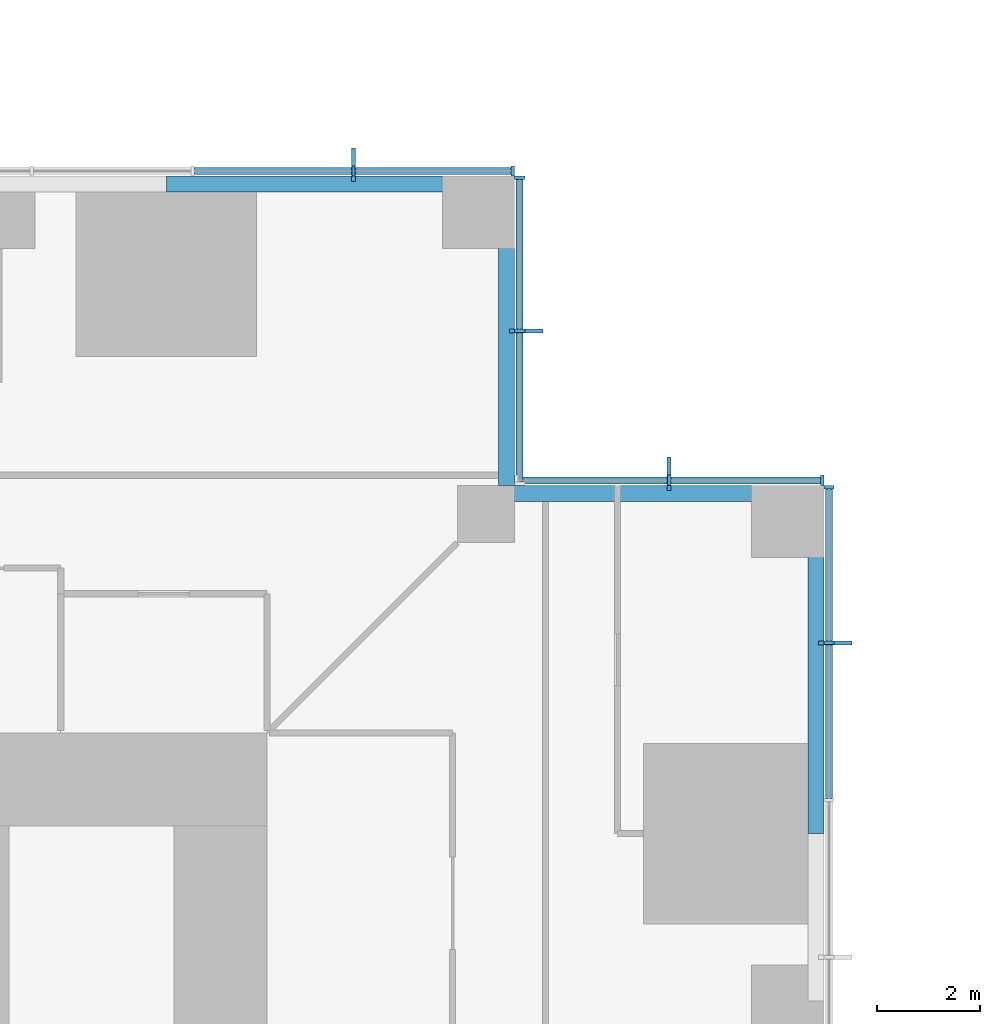
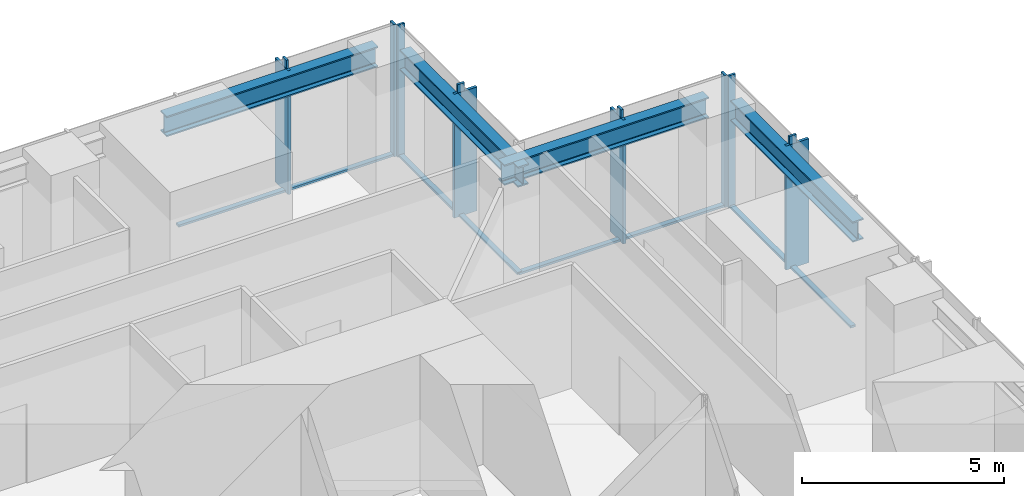
# One storey, part 6 of 15: 20 members, 4 beams, 4 elements without a shape of their own.
"""IFC4 building model written with IfcOpenShell, lengths in metres."""

import ifcopenshell
import ifcopenshell.guid

model = None  # the IFC model being written
_history = None  # IfcOwnerHistory: only IFC2X3 demands one
_inside = {}  # id of a spatial element -> (the spatial element, [elements in it])
_under = {}  # id of a project, library or spatial element -> (it, [spatial elements below it])
_declared = {}  # id of a project -> (the project, [libraries it declares])
_typed = {}  # id of a type object -> (the type object, [elements of that type])
_made_of = {}  # id of a material, layer set ... -> (it, [elements and type objects made of it])


def new_model(schema):
    """Start an empty IFC model of exactly this schema.

    Asked for "IFC4X3", IfcOpenShell would pick the latest addendum, in which some entities
    have other attributes; the version numbers below select the first issue.
    IFC2X3 requires an IfcOwnerHistory on every rooted entity: one is made here for all.
    """
    global model, _history
    if schema == "IFC4X3":
        model = ifcopenshell.file(schema_version=(4, 3, 0, 0))
    else:
        model = ifcopenshell.file(schema=schema)
    _inside.clear()
    _under.clear()
    _declared.clear()
    _typed.clear()
    _made_of.clear()
    _history = None
    if model.schema == "IFC2X3":
        org = make("IfcOrganization", Name="unknown")
        user = make(
            "IfcPersonAndOrganization",
            ThePerson=make("IfcPerson", FamilyName="unknown"),
            TheOrganization=org,
        )
        app = make(
            "IfcApplication",
            ApplicationDeveloper=org,
            Version="unknown",
            ApplicationFullName="unknown",
            ApplicationIdentifier="unknown",
        )
        _history = make(
            "IfcOwnerHistory",
            OwningUser=user,
            OwningApplication=app,
            ChangeAction="ADDED",
            CreationDate=0,
        )
    return model


def make(cls, **values):
    """One entity of the class cls with the attributes given. An attribute that is None is left unset."""
    return model.create_entity(
        cls, **{name: value for name, value in values.items() if value is not None}
    )


def rooted(cls, **values):
    """An entity with a GlobalId (a new one), such as an element, a storey or a relation."""
    return make(cls, GlobalId=ifcopenshell.guid.new(), OwnerHistory=_history, **values)


def si_unit(unit_type, name, prefix=None):
    """IfcSIUnit, for example si_unit("LENGTHUNIT", "METRE", prefix="MILLI")."""
    return make("IfcSIUnit", UnitType=unit_type, Prefix=prefix, Name=name)


def assignment(units):
    """IfcUnitAssignment: the units of a project."""
    return None if units is None else make("IfcUnitAssignment", Units=units)


def point(xyz):
    """IfcCartesianPoint."""
    return None if xyz is None else make("IfcCartesianPoint", Coordinates=xyz)


def direction(xyz):
    """IfcDirection."""
    return None if xyz is None else make("IfcDirection", DirectionRatios=xyz)


def frame(location, z_axis=None, x_axis=None):
    """IfcAxis2Placement3D, a coordinate frame: its origin and axes. An axis left out is left unset."""
    return make(
        "IfcAxis2Placement3D",
        Location=point(location),
        Axis=direction(z_axis),
        RefDirection=direction(x_axis),
    )


def frame_2d(location, x_axis=None):
    """IfcAxis2Placement2D, a coordinate frame in the plane: its origin and x axis."""
    return make(
        "IfcAxis2Placement2D", Location=point(location), RefDirection=direction(x_axis)
    )


def origin():
    """The frame at (0, 0, 0) with its axes left unset."""
    return frame((0.0, 0.0, 0.0))


def origin_2d():
    """The frame at (0, 0) in the plane with its x axis left unset."""
    return frame_2d((0.0, 0.0))


def place(relative_to, where):
    """IfcLocalPlacement: puts the frame where relative to a parent placement (None: the world)."""
    return make(
        "IfcLocalPlacement", PlacementRelTo=relative_to, RelativePlacement=where
    )


def context(
    kind, dimensions, precision=None, world=None, true_north=None, identifier=None
):
    """IfcGeometricRepresentationContext, for example the 3D "Model" context."""
    return make(
        "IfcGeometricRepresentationContext",
        ContextIdentifier=identifier,
        ContextType=kind,
        CoordinateSpaceDimension=dimensions,
        Precision=precision,
        WorldCoordinateSystem=world,
        TrueNorth=true_north,
    )


def subcontext(parent, identifier, kind, view, scale=None):
    """IfcGeometricRepresentationSubContext, for example "Body" below "Model"."""
    return make(
        "IfcGeometricRepresentationSubContext",
        ContextIdentifier=identifier,
        ContextType=kind,
        ParentContext=parent,
        TargetScale=scale,
        TargetView=view,
    )


def project(units=None, contexts=None):
    """IfcProject with its units and contexts."""
    return rooted(
        "IfcProject",
        Name="project",
        RepresentationContexts=contexts,
        UnitsInContext=assignment(units),
    )


def spatial(cls, under=None, at=None, **own):
    """A site, building, storey or space (cls), placed at a placement, below another one or the project."""
    s = rooted(cls, ObjectPlacement=at, **own)
    if under is not None:
        _under.setdefault(under.id(), (under, []))[1].append(s)
    return s


def profile(cls, at=None, kind="AREA", **sizes):
    """A parametric profile (cls). Its sizes go by their IFC names, for example OverallWidth=200.0."""
    return make(cls, ProfileType=kind, Position=at, **sizes)


def rectangle(**sizes):
    """IfcRectangleProfileDef."""
    return profile("IfcRectangleProfileDef", **sizes)


def i_section(**sizes):
    """IfcIShapeProfileDef."""
    return profile("IfcIShapeProfileDef", **sizes)


def extrude(swept, where, along, depth):
    """IfcExtrudedAreaSolid: the profile swept, set in the frame where, extruded along a direction by depth."""
    return make(
        "IfcExtrudedAreaSolid",
        SweptArea=swept,
        Position=where,
        ExtrudedDirection=direction(along),
        Depth=depth,
    )


def shape(context_of_items, identifier, shape_type, items):
    """IfcShapeRepresentation: the items that make up one representation, for example the "Body"."""
    return make(
        "IfcShapeRepresentation",
        ContextOfItems=context_of_items,
        RepresentationIdentifier=identifier,
        RepresentationType=shape_type,
        Items=items,
    )


def material(Name=None, Category=None):
    """IfcMaterial."""
    return make("IfcMaterial", Name=Name, Category=Category)


def material_profile(
    of_material, cross_section, Name=None, Category=None, Priority=None
):
    """IfcMaterialProfile: a cross section and its material."""
    return make(
        "IfcMaterialProfile",
        Name=Name,
        Material=of_material,
        Profile=cross_section,
        Priority=Priority,
        Category=Category,
    )


def profile_set(profiles, Name=None, composite=None):
    """IfcMaterialProfileSet."""
    return make(
        "IfcMaterialProfileSet",
        Name=Name,
        MaterialProfiles=profiles,
        CompositeProfile=composite,
    )


def made_of(thing, what):
    """Note that an element or type object is made of a material, layer set ...; save() writes the relation."""
    if what is not None:
        _made_of.setdefault(what.id(), (what, []))[1].append(thing)
    return thing


def type_object(cls, material=None, **own):
    """A type object (cls), such as IfcWallType, which elements share."""
    return made_of(rooted(cls, **own), material)


def element(
    cls,
    number,
    at=None,
    inside=None,
    cuts=None,
    type_object=None,
    material=None,
    context=None,
    identifier="Body",
    shape_type=None,
    held_by="IfcProductDefinitionShape",
    body=None,
    shapes=None,
    **own,
):
    """One element of the class cls, such as IfcWall. Its Tag is "e" and its number.

    at: its placement. inside: the storey or other place that contains it. cuts: it is an
    opening in that element (IfcRelVoidsElement). A single representation is given by context,
    identifier, shape_type and body (its items); several are given by shapes. held_by: the class
    of the entity that holds the representations. save() writes the other relations.
    """
    e = rooted(cls, Tag="e%d" % number, ObjectPlacement=at, **own)
    if body is not None:
        shapes = [shape(context, identifier, shape_type, body)]
    if shapes is not None:
        e.Representation = make(held_by, Representations=shapes)
    if inside is not None:
        _inside.setdefault(inside.id(), (inside, []))[1].append(e)
    if cuts is not None:
        rooted(
            "IfcRelVoidsElement", RelatingBuildingElement=cuts, RelatedOpeningElement=e
        )
    if type_object is not None:
        _typed.setdefault(type_object.id(), (type_object, []))[1].append(e)
    return made_of(e, material)


def aggregate(whole, parts):
    """IfcRelAggregates: a whole, such as a stair, and the parts it consists of."""
    return rooted("IfcRelAggregates", RelatingObject=whole, RelatedObjects=parts)


def save(model, path):
    """Write the relations noted so far, then the file.

    IfcRelAggregates (storeys below a building ...), IfcRelContainedInSpatialStructure (elements
    in a storey), IfcRelDefinesByType, IfcRelAssociatesMaterial and IfcRelDeclares: one each for
    every whole, place, type object, material and project.
    """
    for whole, parts in _under.values():
        aggregate(whole, parts)
    for where, things in _inside.values():
        rooted(
            "IfcRelContainedInSpatialStructure",
            RelatedElements=things,
            RelatingStructure=where,
        )
    for kind, things in _typed.values():
        rooted("IfcRelDefinesByType", RelatedObjects=things, RelatingType=kind)
    for what, things in _made_of.values():
        rooted("IfcRelAssociatesMaterial", RelatedObjects=things, RelatingMaterial=what)
    for by, libraries in _declared.values():
        rooted("IfcRelDeclares", RelatingContext=by, RelatedDefinitions=libraries)
    model.write(path)


model = new_model("IFC4")

# Units and contexts
model_context = context("Model", 3, precision=1e-05, world=origin(), true_north=direction((0.0, 1.0)))
body_context = subcontext(model_context, "Body", "Model", "MODEL_VIEW")
ifc_project = project(units=[si_unit("LENGTHUNIT", "METRE"), si_unit("AREAUNIT", "SQUARE_METRE"), si_unit("VOLUMEUNIT", "CUBIC_METRE"), si_unit("PLANEANGLEUNIT", "RADIAN"), si_unit("MASSUNIT", "GRAM", prefix="KILO")], contexts=[model_context])

# Site, building, storey
site_placement = place(None, origin())
site = spatial("IfcSite", under=ifc_project, at=site_placement, CompositionType="ELEMENT")
building_placement = place(site_placement, origin())
building = spatial("IfcBuilding", under=site, at=building_placement, Name="Svetlomir Tower", CompositionType="ELEMENT")
storey_placement = place(building_placement, frame((0.0, 0.0, 66.5)))
storey = spatial("IfcBuildingStorey", under=building, at=storey_placement, Name="L15", CompositionType="ELEMENT", Elevation=66.5)

# Curtain wall, member
ifc_material_1 = material(Name="Bronze anodised aluminium curtain wall", Category="aluminium")
curtain_wall_type = type_object("IfcCurtainWallType", Name="CURTAIN WALL CW1 TOWER OFFICE", PredefinedType="NOTDEFINED", material=ifc_material_1)
curtain_wall_1_placement = place(storey_placement, origin())
curtain_wall_1 = element("IfcCurtainWall", 1, at=curtain_wall_1_placement, inside=storey, type_object=curtain_wall_type, Name="Curtain wall CW1 L15", PredefinedType="NOTDEFINED")
ifc_material_2 = material(Name="Bronze anodised aluminium", Category="aluminium")
ifc_material_profile_1 = material_profile(ifc_material_2, rectangle(XDim=0.080078125, YDim=0.64990234375, at=origin_2d()), Name="FIN 80x650")
ifc_profile_set_1 = profile_set([ifc_material_profile_1], Name="Bronze anodised aluminium 6063-T6")
member_type_1 = type_object("IfcMemberType", Name="BRONZE FIN 80x650", PredefinedType="USERDEFINED", material=ifc_profile_set_1)
member_1_placement = place(storey_placement, frame((42.22509765625, 32.949951171875, 0.0), z_axis=(0.0, 0.0, 1.0), x_axis=(0.0, 1.0, 0.0)))
member_1 = element("IfcMember", 2, at=member_1_placement, type_object=member_type_1, Name="Bronze fin L15", ObjectType="FIN", PredefinedType="USERDEFINED", context=body_context, shape_type="SweptSolid", body=[
    extrude(rectangle(XDim=0.080078125, YDim=0.64990234375, at=origin_2d()), origin(), (0.0, 0.0, 1.0), 3.75),
])

curtain_wall_2_placement = place(storey_placement, origin())
curtain_wall_2 = element("IfcCurtainWall", 3, at=curtain_wall_2_placement, inside=storey, type_object=curtain_wall_type, Name="Curtain wall CW1 L15", PredefinedType="NOTDEFINED")
member_2_placement = place(storey_placement, frame((39.0, 36.22509765625, 0.0), z_axis=(0.0, 0.0, 1.0), x_axis=(1.0, 0.0, 0.0)))
member_2 = element("IfcMember", 4, at=member_2_placement, type_object=member_type_1, Name="Bronze fin L15", ObjectType="FIN", PredefinedType="USERDEFINED", context=body_context, shape_type="SweptSolid", body=[
    extrude(rectangle(XDim=0.080078125, YDim=0.64990234375, at=origin_2d()), origin(), (0.0, 0.0, 1.0), 3.75),
])

curtain_wall_3_placement = place(storey_placement, origin())
curtain_wall_3 = element("IfcCurtainWall", 5, at=curtain_wall_3_placement, inside=storey, type_object=curtain_wall_type, Name="Curtain wall CW1 L15", PredefinedType="NOTDEFINED")
member_3_placement = place(storey_placement, frame((36.22509765625, 39.0, 0.0), z_axis=(0.0, 0.0, 1.0), x_axis=(0.0, 1.0, 0.0)))
member_3 = element("IfcMember", 6, at=member_3_placement, type_object=member_type_1, Name="Bronze fin L15", ObjectType="FIN", PredefinedType="USERDEFINED", context=body_context, shape_type="SweptSolid", body=[
    extrude(rectangle(XDim=0.080078125, YDim=0.64990234375, at=origin_2d()), origin(), (0.0, 0.0, 1.0), 3.75),
])

curtain_wall_4_placement = place(storey_placement, origin())
curtain_wall_4 = element("IfcCurtainWall", 7, at=curtain_wall_4_placement, inside=storey, type_object=curtain_wall_type, Name="Curtain wall CW1 L15", PredefinedType="NOTDEFINED")
member_4_placement = place(storey_placement, frame((32.8798828125, 42.22509765625, 0.0), z_axis=(0.0, 0.0, 1.0), x_axis=(1.0, 0.0, 0.0)))
member_4 = element("IfcMember", 8, at=member_4_placement, type_object=member_type_1, Name="Bronze fin L15", ObjectType="FIN", PredefinedType="USERDEFINED", context=body_context, shape_type="SweptSolid", body=[
    extrude(rectangle(XDim=0.080078125, YDim=0.64990234375, at=origin_2d()), origin(), (0.0, 0.0, 1.0), 3.75),
])

# Member
ifc_material_3 = material(Name="Bronze anodised aluminium", Category="aluminium")
ifc_material_profile_2 = material_profile(ifc_material_3, rectangle(XDim=0.06494140625, YDim=0.199951171875, at=origin_2d()), Name="AL 65x200")
ifc_profile_set_2 = profile_set([ifc_material_profile_2], Name="Bronze anodised aluminium 6063-T6")
member_type_2 = type_object("IfcMemberType", Name="CW1 MULLION 65x200", PredefinedType="MULLION", material=ifc_profile_set_2)
member_5_placement = place(storey_placement, frame((42.10009765625, 32.949951171875, 0.0), z_axis=(0.0, 0.0, 1.0), x_axis=(0.0, 1.0, 0.0)))
member_5 = element("IfcMember", 9, at=member_5_placement, type_object=member_type_2, Name="CW1 mullion 8", PredefinedType="MULLION", context=body_context, shape_type="SweptSolid", body=[
    extrude(rectangle(XDim=0.06494140625, YDim=0.199951171875, at=origin_2d()), origin(), (0.0, 0.0, 1.0), 4.0),
])

member_6_placement = place(storey_placement, frame((42.10009765625, 35.967529296875, 0.0), z_axis=(0.0, 0.0, 1.0), x_axis=(0.0, 1.0, 0.0)))
member_6 = element("IfcMember", 10, at=member_6_placement, type_object=member_type_2, Name="CW1 mullion 9", PredefinedType="MULLION", context=body_context, shape_type="SweptSolid", body=[
    extrude(rectangle(XDim=0.06494140625, YDim=0.199951171875, at=origin_2d()), origin(), (0.0, 0.0, 1.0), 4.0),
])

member_7_placement = place(storey_placement, frame((41.967529296875, 36.10009765625, 0.0), z_axis=(0.0, 0.0, 1.0), x_axis=(-1.0, 0.0, 0.0)))
member_7 = element("IfcMember", 11, at=member_7_placement, type_object=member_type_2, Name="CW1 mullion 1", PredefinedType="MULLION", context=body_context, shape_type="SweptSolid", body=[
    extrude(rectangle(XDim=0.06494140625, YDim=0.199951171875, at=origin_2d()), origin(), (0.0, 0.0, 1.0), 4.0),
])

member_8_placement = place(storey_placement, frame((39.0, 36.10009765625, 0.0), z_axis=(0.0, 0.0, 1.0), x_axis=(-1.0, 0.0, 0.0)))
member_8 = element("IfcMember", 12, at=member_8_placement, type_object=member_type_2, Name="CW1 mullion 2", PredefinedType="MULLION", context=body_context, shape_type="SweptSolid", body=[
    extrude(rectangle(XDim=0.06494140625, YDim=0.199951171875, at=origin_2d()), origin(), (0.0, 0.0, 1.0), 4.0),
])

member_9_placement = place(storey_placement, frame((36.10009765625, 39.0, 0.0), z_axis=(0.0, 0.0, 1.0), x_axis=(0.0, 1.0, 0.0)))
member_9 = element("IfcMember", 13, at=member_9_placement, type_object=member_type_2, Name="CW1 mullion 2", PredefinedType="MULLION", context=body_context, shape_type="SweptSolid", body=[
    extrude(rectangle(XDim=0.06494140625, YDim=0.199951171875, at=origin_2d()), origin(), (0.0, 0.0, 1.0), 4.0),
])

member_10_placement = place(storey_placement, frame((36.10009765625, 41.967529296875, 0.0), z_axis=(0.0, 0.0, 1.0), x_axis=(0.0, 1.0, 0.0)))
member_10 = element("IfcMember", 14, at=member_10_placement, type_object=member_type_2, Name="CW1 mullion 3", PredefinedType="MULLION", context=body_context, shape_type="SweptSolid", body=[
    extrude(rectangle(XDim=0.06494140625, YDim=0.199951171875, at=origin_2d()), origin(), (0.0, 0.0, 1.0), 4.0),
])

member_11_placement = place(storey_placement, frame((35.967529296875, 42.10009765625, 0.0), z_axis=(0.0, 0.0, 1.0), x_axis=(-1.0, 0.0, 0.0)))
member_11 = element("IfcMember", 15, at=member_11_placement, type_object=member_type_2, Name="CW1 mullion 1", PredefinedType="MULLION", context=body_context, shape_type="SweptSolid", body=[
    extrude(rectangle(XDim=0.06494140625, YDim=0.199951171875, at=origin_2d()), origin(), (0.0, 0.0, 1.0), 4.0),
])

member_12_placement = place(storey_placement, frame((32.8798828125, 42.10009765625, 0.0), z_axis=(0.0, 0.0, 1.0), x_axis=(-1.0, 0.0, 0.0)))
member_12 = element("IfcMember", 16, at=member_12_placement, type_object=member_type_2, Name="CW1 mullion 2", PredefinedType="MULLION", context=body_context, shape_type="SweptSolid", body=[
    extrude(rectangle(XDim=0.06494140625, YDim=0.199951171875, at=origin_2d()), origin(), (0.0, 0.0, 1.0), 4.0),
])

ifc_material_4 = material(Name="Bronze anodised aluminium", Category="aluminium")
ifc_material_profile_3 = material_profile(ifc_material_4, rectangle(XDim=0.139892578125, YDim=0.06494140625, at=origin_2d()), Name="AL 140x65")
ifc_profile_set_3 = profile_set([ifc_material_profile_3], Name="Bronze anodised aluminium 6063-T6")
member_type_3 = type_object("IfcMemberType", Name="CW1 TRANSOM 65x140", PredefinedType="USERDEFINED", material=ifc_profile_set_3)
member_13_placement = place(storey_placement, frame((42.10009765625, 29.9326171875, 0.032470703125), z_axis=(0.0, 1.0, 0.0), x_axis=(-1.0, 0.0, 0.0)))
member_13 = element("IfcMember", 17, at=member_13_placement, type_object=member_type_3, Name="CW1 transom 7.1", ObjectType="TRANSOM", PredefinedType="USERDEFINED", context=body_context, shape_type="SweptSolid", body=[
    extrude(rectangle(XDim=0.139892578125, YDim=0.06494140625, at=origin_2d()), origin(), (0.0, 0.0, 1.0), 2.98486328125),
])

member_14_placement = place(storey_placement, frame((42.10009765625, 32.982421875, 0.032470703125), z_axis=(0.0, 1.0, 0.0), x_axis=(-1.0, 0.0, 0.0)))
member_14 = element("IfcMember", 18, at=member_14_placement, type_object=member_type_3, Name="CW1 transom 8.1", ObjectType="TRANSOM", PredefinedType="USERDEFINED", context=body_context, shape_type="SweptSolid", body=[
    extrude(rectangle(XDim=0.139892578125, YDim=0.06494140625, at=origin_2d()), origin(), (0.0, 0.0, 1.0), 2.95263671875),
])

aggregate(curtain_wall_1, [member_5, member_6, member_13, member_14, member_1])

member_15_placement = place(storey_placement, frame((41.93505859375, 36.10009765625, 0.032470703125), z_axis=(-1.0, 0.0, 0.0), x_axis=(0.0, -1.0, 0.0)))
member_15 = element("IfcMember", 19, at=member_15_placement, type_object=member_type_3, Name="CW1 transom 1.1", ObjectType="TRANSOM", PredefinedType="USERDEFINED", context=body_context, shape_type="SweptSolid", body=[
    extrude(rectangle(XDim=0.139892578125, YDim=0.06494140625, at=origin_2d()), origin(), (0.0, 0.0, 1.0), 2.902587890625),
])

member_16_placement = place(storey_placement, frame((38.967529296875, 36.10009765625, 0.032470703125), z_axis=(-1.0, 0.0, 0.0), x_axis=(0.0, -1.0, 0.0)))
member_16 = element("IfcMember", 20, at=member_16_placement, type_object=member_type_3, Name="CW1 transom 2.1", ObjectType="TRANSOM", PredefinedType="USERDEFINED", context=body_context, shape_type="SweptSolid", body=[
    extrude(rectangle(XDim=0.139892578125, YDim=0.06494140625, at=origin_2d()), origin(), (0.0, 0.0, 1.0), 2.902587890625),
])

aggregate(curtain_wall_2, [member_7, member_8, member_15, member_16, member_2])

member_17_placement = place(storey_placement, frame((36.10009765625, 36.06494140625, 0.032470703125), z_axis=(0.0, 1.0, 0.0), x_axis=(-1.0, 0.0, 0.0)))
member_17 = element("IfcMember", 21, at=member_17_placement, type_object=member_type_3, Name="CW1 transom 1.1", ObjectType="TRANSOM", PredefinedType="USERDEFINED", context=body_context, shape_type="SweptSolid", body=[
    extrude(rectangle(XDim=0.139892578125, YDim=0.06494140625, at=origin_2d()), origin(), (0.0, 0.0, 1.0), 2.902587890625),
])

member_18_placement = place(storey_placement, frame((36.10009765625, 39.032470703125, 0.032470703125), z_axis=(0.0, 1.0, 0.0), x_axis=(-1.0, 0.0, 0.0)))
member_18 = element("IfcMember", 22, at=member_18_placement, type_object=member_type_3, Name="CW1 transom 2.1", ObjectType="TRANSOM", PredefinedType="USERDEFINED", context=body_context, shape_type="SweptSolid", body=[
    extrude(rectangle(XDim=0.139892578125, YDim=0.06494140625, at=origin_2d()), origin(), (0.0, 0.0, 1.0), 2.902587890625),
])

aggregate(curtain_wall_3, [member_9, member_10, member_17, member_18, member_3])

member_19_placement = place(storey_placement, frame((35.93505859375, 42.10009765625, 0.032470703125), z_axis=(-1.0, 0.0, 0.0), x_axis=(0.0, -1.0, 0.0)))
member_19 = element("IfcMember", 23, at=member_19_placement, type_object=member_type_3, Name="CW1 transom 1.1", ObjectType="TRANSOM", PredefinedType="USERDEFINED", context=body_context, shape_type="SweptSolid", body=[
    extrude(rectangle(XDim=0.139892578125, YDim=0.06494140625, at=origin_2d()), origin(), (0.0, 0.0, 1.0), 3.0224609375),
])

member_20_placement = place(storey_placement, frame((32.847412109375, 42.10009765625, 0.032470703125), z_axis=(-1.0, 0.0, 0.0), x_axis=(0.0, -1.0, 0.0)))
member_20 = element("IfcMember", 24, at=member_20_placement, type_object=member_type_3, Name="CW1 transom 2.1", ObjectType="TRANSOM", PredefinedType="USERDEFINED", context=body_context, shape_type="SweptSolid", body=[
    extrude(rectangle(XDim=0.139892578125, YDim=0.06494140625, at=origin_2d()), origin(), (0.0, 0.0, 1.0), 3.054931640625),
])

aggregate(curtain_wall_4, [member_11, member_12, member_19, member_20, member_4])

# Beams
ifc_material_5 = material(Name="Steel S355", Category="steel")
ifc_material_profile_4 = material_profile(ifc_material_5, i_section(OverallWidth=0.304931640625, OverallDepth=0.6201171875, WebThickness=0.02099609375, FlangeThickness=0.0400390625, FilletRadius=0.027099609375, at=origin_2d()), Name="HEM 600")
ifc_profile_set_4 = profile_set([ifc_material_profile_4], Name="Steel S355")
beam_type = type_object("IfcBeamType", Name="EDGE BEAM HEM 600", PredefinedType="SPANDREL", material=ifc_profile_set_4)
for number, where, z_axis, x_axis, name in (
    (25, (41.847412109375, 29.25, 3.43994140625), (0.0, 1.0, 0.0), (-1.0, 0.0, 0.0), "Edge beam 42/31 to 42/36 under L16"),
    (26, (29.25, 41.847412109375, 3.43994140625), (1.0, 0.0, 0.0), (0.0, 1.0, 0.0), "Edge beam 31/42 to 36/42 under L16"),
):
    element("IfcBeam", number, at=place(storey_placement, frame(where, z_axis=z_axis, x_axis=x_axis)), inside=storey, type_object=beam_type, Name=name, PredefinedType="SPANDREL", context=body_context, shape_type="SweptSolid", body=[
        extrude(i_section(OverallWidth=0.304931640625, OverallDepth=0.6201171875, WebThickness=0.02099609375, FlangeThickness=0.0400390625, FilletRadius=0.027099609375, at=origin_2d()), origin(), (0.0, 0.0, 1.0), 6.050048828125),
    ])
for number, where, z_axis, x_axis, name in (
    (27, (35.847412109375, 41.300048828125, 3.43994140625), (0.0, -1.0, 0.0), (1.0, 0.0, 0.0), "Edge beam 36/42 to 36/36 under L16"),
    (28, (41.300048828125, 35.847412109375, 3.43994140625), (-1.0, 0.0, 0.0), (0.0, -1.0, 0.0), "Edge beam 42/36 to 36/36 under L16"),
):
    element("IfcBeam", number, at=place(storey_placement, frame(where, z_axis=z_axis, x_axis=x_axis)), inside=storey, type_object=beam_type, Name=name, PredefinedType="SPANDREL", context=body_context, shape_type="SweptSolid", body=[
        extrude(i_section(OverallWidth=0.304931640625, OverallDepth=0.6201171875, WebThickness=0.02099609375, FlangeThickness=0.0400390625, FilletRadius=0.027099609375, at=origin_2d()), origin(), (0.0, 0.0, 1.0), 5.85009765625),
    ])

save(model, "model.ifc")
